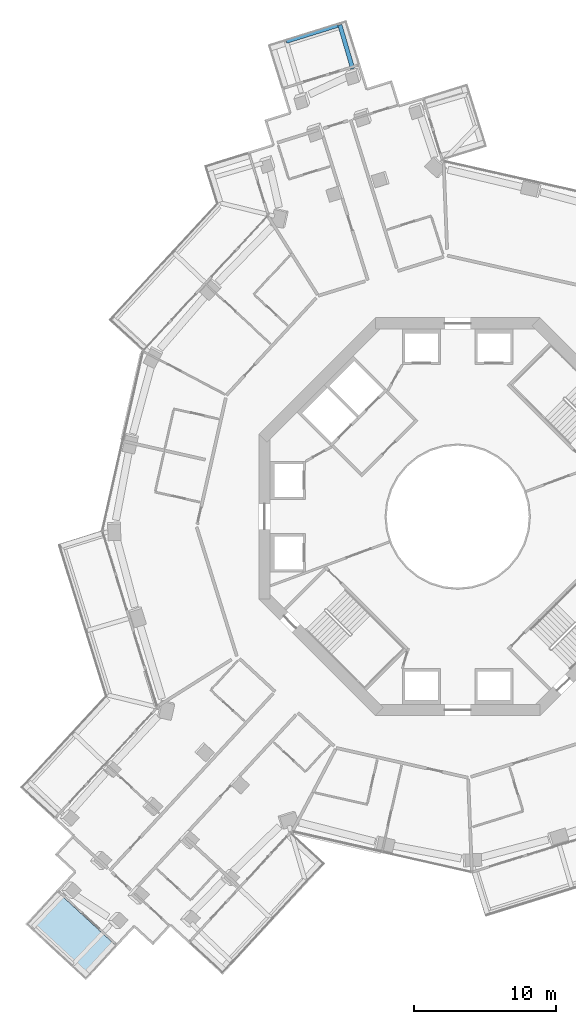
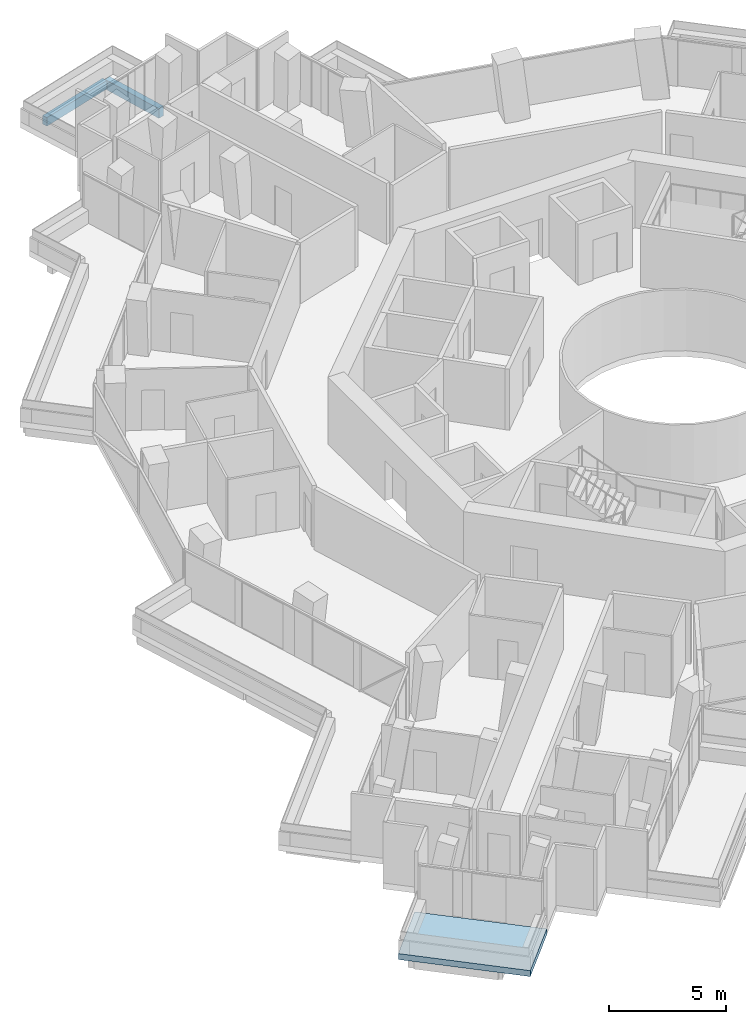
# One storey, part 11 of 25: 2 beams, 1 slab.
"""IFC4 building model written with IfcOpenShell, lengths in metres."""

from ifc_helpers import new_model, si_unit, direction, frame, origin, origin_2d, place, context, subcontext, project, spatial, polyline, rectangle, outline, extrude, material, layer, layer_set, material_profile, profile_set, type_object, element, save


model = new_model("IFC4")

# Units and contexts
model_context = context("Model", 3, precision=1e-05, world=origin(), true_north=direction((0.0, 1.0)))
body_context = subcontext(model_context, "Body", "Model", "MODEL_VIEW")
ifc_project = project(units=[si_unit("LENGTHUNIT", "METRE"), si_unit("AREAUNIT", "SQUARE_METRE"), si_unit("VOLUMEUNIT", "CUBIC_METRE"), si_unit("PLANEANGLEUNIT", "RADIAN"), si_unit("MASSUNIT", "GRAM", prefix="KILO")], contexts=[model_context])

# Site, building, storey
site_placement = place(None, origin())
site = spatial("IfcSite", under=ifc_project, at=site_placement, CompositionType="ELEMENT")
building_placement = place(site_placement, origin())
building = spatial("IfcBuilding", under=site, at=building_placement, Name="Verdalira Terraces Hotel", CompositionType="ELEMENT")
storey_placement = place(building_placement, frame((0.0, 0.0, 103.5)))
storey = spatial("IfcBuildingStorey", under=building, at=storey_placement, Name="L24", CompositionType="ELEMENT", Elevation=103.5)

# Beams
ifc_material_1 = material(Name="Concrete C40", Category="concrete")
ifc_material_profile_1 = material_profile(ifc_material_1, rectangle(XDim=0.300049, YDim=0.5, at=origin_2d()), Name="RC 300X500")
ifc_profile_set_1 = profile_set([ifc_material_profile_1], Name="Concrete C40")
beam_type_1 = type_object("IfcBeamType", Name="Balcony cantilever beam RC 300X500 C40", PredefinedType="BEAM", material=ifc_profile_set_1)
beam_1_placement = place(storey_placement, frame((-7.392578, 31.523193, -0.560059), z_axis=(-0.280994607, 0.959709347, 0.0), x_axis=(-0.959709347, -0.280994607, 0.0)))
element("IfcBeam", 1, at=beam_1_placement, inside=storey, type_object=beam_type_1, Name="Balcony cantilever beam R05-1", PredefinedType="BEAM", context=body_context, shape_type="SweptSolid", body=[
    extrude(rectangle(XDim=0.300049, YDim=0.5, at=origin_2d()), origin(), (0.0, 0.0, 1.0), 3.204346),
])
ifc_material_2 = material(Name="Concrete C40", Category="concrete")
ifc_material_profile_2 = material_profile(ifc_material_2, rectangle(XDim=0.25, YDim=0.449951, at=origin_2d()), Name="RC 250X450")
ifc_profile_set_2 = profile_set([ifc_material_profile_2], Name="Concrete C40")
beam_type_2 = type_object("IfcBeamType", Name="Balcony edge beam RC 250X450 C40", PredefinedType="BEAM", material=ifc_profile_set_2)
beam_2_placement = place(storey_placement, frame((-8.436279, 34.553711, -0.534912), z_axis=(-0.9548653, -0.297039155, 0.0), x_axis=(0.297039155, -0.9548653, 0.0)))
element("IfcBeam", 2, at=beam_2_placement, inside=storey, type_object=beam_type_2, Name="Balcony edge beam R05-1", PredefinedType="BEAM", context=body_context, shape_type="SweptSolid", body=[
    extrude(rectangle(XDim=0.25, YDim=0.449951, at=origin_2d()), origin(), (0.0, 0.0, 1.0), 3.791504),
])

# Slab
ifc_material_3 = material(Name="Precast concrete C40/50", Category="concrete")
ifc_layer = layer(ifc_material_3, 0.31005859375)
ifc_layer_set = layer_set([ifc_layer], Name="Balcony deck 310")
slab_type = type_object("IfcSlabType", Name="Balcony deck 310", PredefinedType="FLOOR", material=ifc_layer_set)
slab_placement = place(storey_placement, frame((0.0, 0.0, -0.310059)))
element("IfcSlab", 3, at=slab_placement, inside=storey, type_object=slab_type, Name="Balcony deck", PredefinedType="FLOOR", context=body_context, shape_type="SweptSolid", body=[
    extrude(outline(polyline([(-26.159424, -32.603516), (-23.988525, -30.252441), (-28.249512, -26.317627), (-30.42041, -28.668701), (-26.159424, -32.603516)])), origin(), (0.0, 0.0, 1.0), 0.310059),
])

save(model, "model.ifc")
